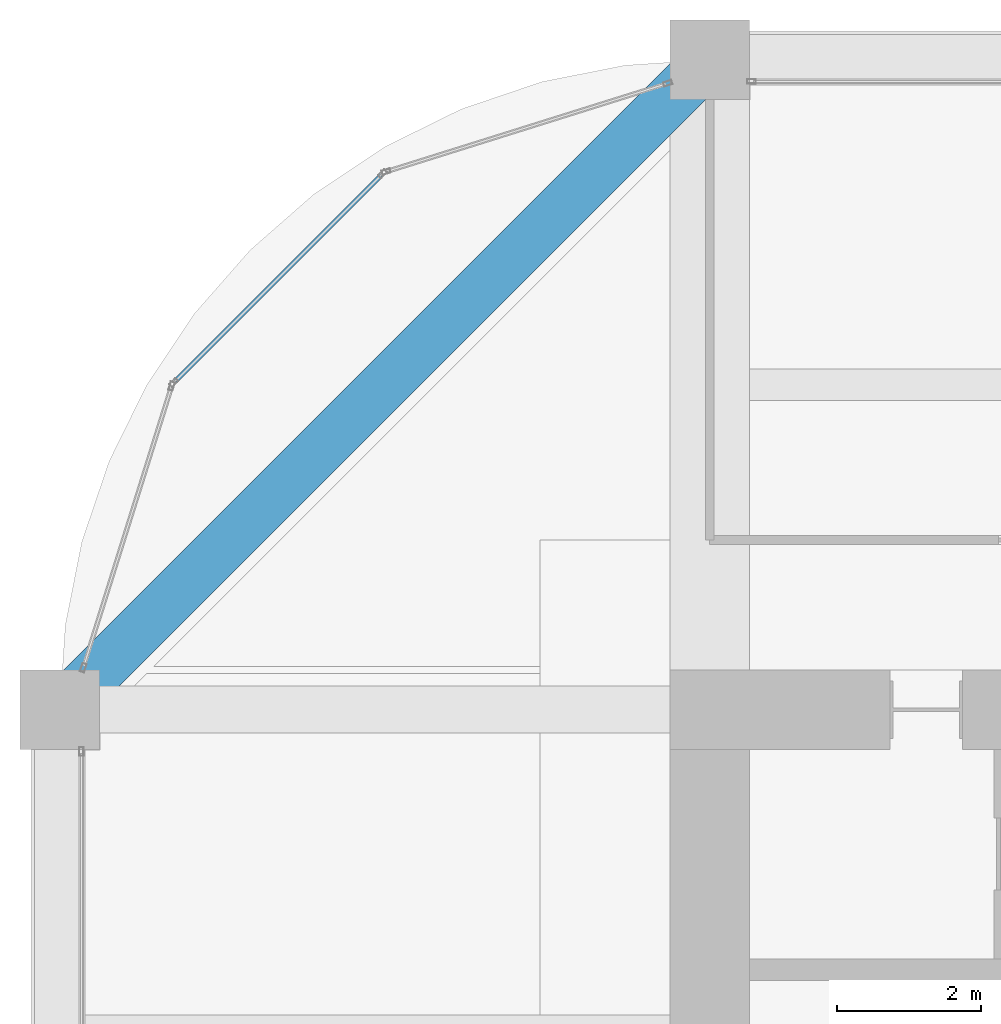
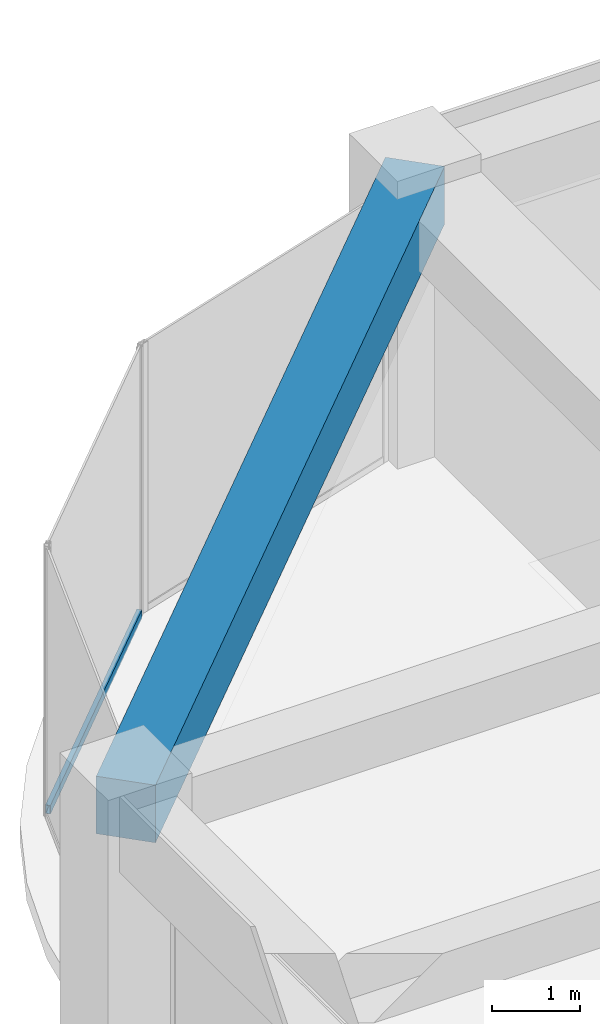
# One storey, part 29 of 44: 1 beam, 1 member, 1 element without a shape of its own.
"""IFC4 building model written with IfcOpenShell, lengths in metres."""

from ifc_helpers import new_model, si_unit, direction, frame, origin, origin_2d, place, context, subcontext, project, spatial, rectangle, hollow_rectangle, extrude, material, material_profile, profile_set, type_object, element, aggregate, save


model = new_model("IFC4")

# Units and contexts
model_context = context("Model", 3, precision=1e-05, world=origin(), true_north=direction((0.0, 1.0)))
body_context = subcontext(model_context, "Body", "Model", "MODEL_VIEW")
ifc_project = project(units=[si_unit("LENGTHUNIT", "METRE"), si_unit("AREAUNIT", "SQUARE_METRE"), si_unit("VOLUMEUNIT", "CUBIC_METRE"), si_unit("PLANEANGLEUNIT", "RADIAN"), si_unit("MASSUNIT", "GRAM", prefix="KILO")], contexts=[model_context])

# Site, building, storey
site_placement = place(None, origin())
site = spatial("IfcSite", under=ifc_project, at=site_placement, CompositionType="ELEMENT")
building_placement = place(site_placement, origin())
building = spatial("IfcBuilding", under=site, at=building_placement, Name="Zorevar Civic Tower", CompositionType="ELEMENT")
storey_placement = place(building_placement, frame((0.0, 0.0, 255.39990234375)))
storey = spatial("IfcBuildingStorey", under=building, at=storey_placement, Name="L62", CompositionType="ELEMENT", Elevation=255.39990234375)

# Curtain wall, member
ifc_material_1 = material(Name="Dark grey solar-control glass in black aluminium frame", Category="aluminium")
curtain_wall_type = type_object("IfcCurtainWallType", Name="Curtain wall CW5 top zone", PredefinedType="NOTDEFINED", material=ifc_material_1)
curtain_wall_placement = place(storey_placement, origin())
curtain_wall = element("IfcCurtainWall", 1, at=curtain_wall_placement, inside=storey, type_object=curtain_wall_type, Name="CW5 L62", PredefinedType="NOTDEFINED")
ifc_material_2 = material(Name="Aluminium, black anodised", Category="aluminium")
ifc_material_profile_1 = material_profile(ifc_material_2, hollow_rectangle(XDim=0.06005859375, YDim=0.1201171875, WallThickness=0.0029296875, at=origin_2d()), Name="AL 120x60x3")
ifc_profile_set_1 = profile_set([ifc_material_profile_1], Name="Aluminium, black anodised")
member_type = type_object("IfcMemberType", Name="CW5 transom AL 120x60x3", PredefinedType="USERDEFINED", material=ifc_profile_set_1)
member_placement = place(storey_placement, frame((13.44970703125, 43.3984375, 0.030029296875), z_axis=(-0.707106781187, -0.707106781187, 0.0), x_axis=(0.707106781187, -0.707106781187, 0.0)))
member = element("IfcMember", 2, at=member_placement, type_object=member_type, Name="CW5 sill transom", ObjectType="TRANSOM", PredefinedType="USERDEFINED", context=body_context, shape_type="SweptSolid", body=[
    extrude(hollow_rectangle(XDim=0.06005859375, YDim=0.1201171875, WallThickness=0.0029296875, at=origin_2d()), origin(), (0.0, 0.0, 1.0), 4.02783203125),
])
aggregate(curtain_wall, [member])

# Beam
ifc_material_3 = material(Name="Concrete C50/60", Category="concrete")
ifc_material_profile_2 = material_profile(ifc_material_3, rectangle(XDim=0.699951171875, YDim=0.800048828125, at=origin_2d()), Name="RC 700x800")
ifc_profile_set_2 = profile_set([ifc_material_profile_2], Name="Concrete C50/60")
beam_type = type_object("IfcBeamType", Name="Edge beam RC 700x800", PredefinedType="SPANDREL", material=ifc_profile_set_2)
beam_placement = place(storey_placement, frame((18.0, 45.0, 3.35009765625), z_axis=(-0.707106781187, -0.707106781187, 0.0), x_axis=(0.707106781187, -0.707106781187, 0.0)))
element("IfcBeam", 3, at=beam_placement, inside=storey, type_object=beam_type, Name="Corner edge beam L63", PredefinedType="SPANDREL", context=body_context, shape_type="SweptSolid", body=[
    extrude(rectangle(XDim=0.699951171875, YDim=0.800048828125, at=origin_2d()), origin(), (0.0, 0.0, 1.0), 12.72802734375),
])

save(model, "model.ifc")
